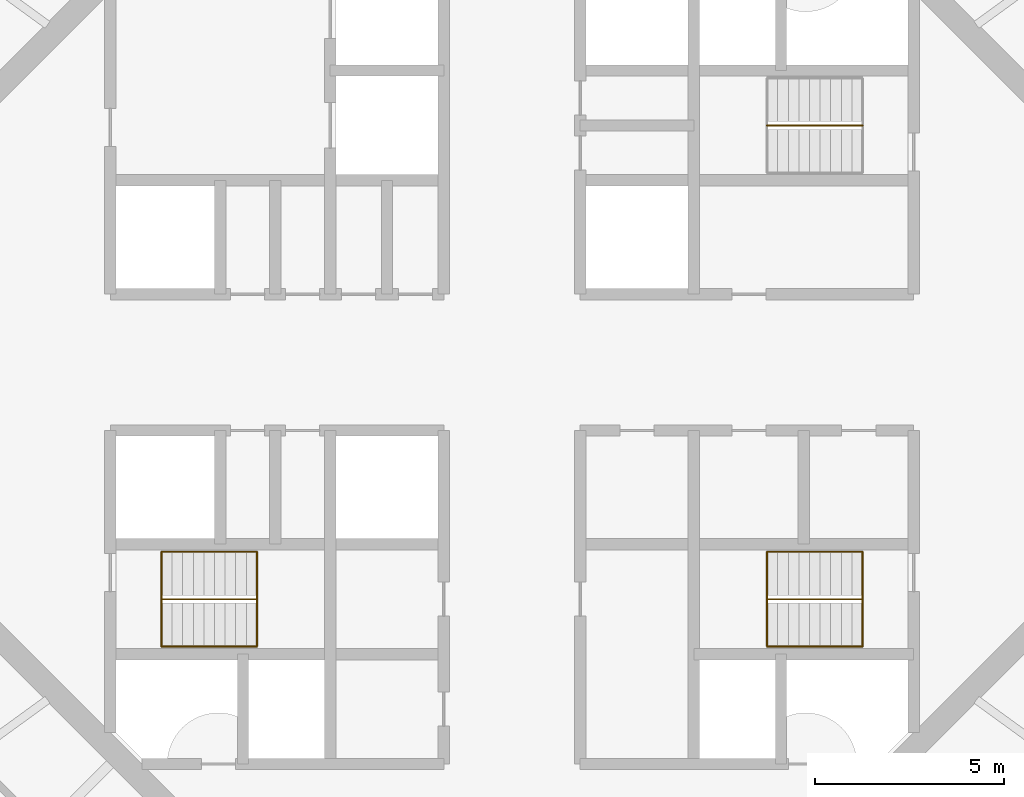
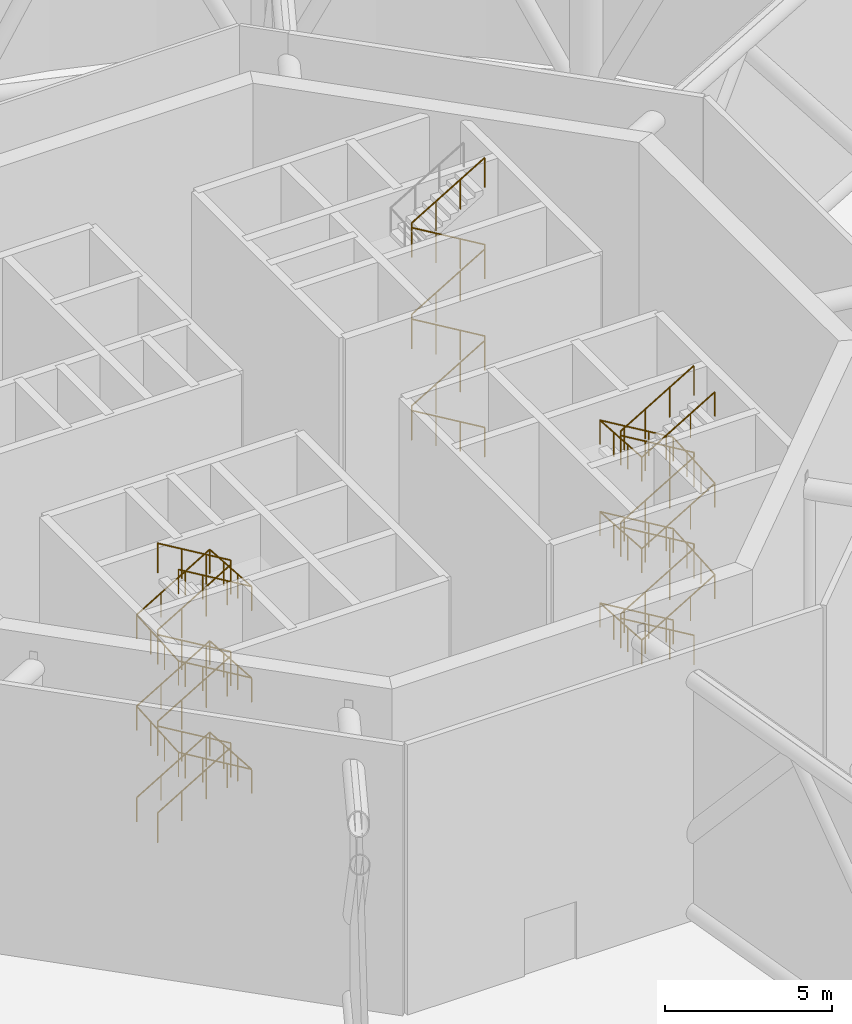
# One storey, part 22 of 23: 5 railings.
"""IFC4 building model written with IfcOpenShell, lengths in metres."""

from ifc_helpers import new_model, si_unit, direction, frame, origin, origin_2d, place, context, subcontext, project, spatial, circle, extrude, material, type_object, element, save


model = new_model("IFC4")

# Units and contexts
model_context = context("Model", 3, precision=1e-05, world=origin(), true_north=direction((0.0, 1.0)))
body_context = subcontext(model_context, "Body", "Model", "MODEL_VIEW")
ifc_project = project(units=[si_unit("LENGTHUNIT", "METRE"), si_unit("AREAUNIT", "SQUARE_METRE"), si_unit("VOLUMEUNIT", "CUBIC_METRE"), si_unit("PLANEANGLEUNIT", "RADIAN"), si_unit("MASSUNIT", "GRAM", prefix="KILO")], contexts=[model_context])

# Site, building, storey
site_placement = place(None, origin())
site = spatial("IfcSite", under=ifc_project, at=site_placement, CompositionType="ELEMENT")
building_placement = place(site_placement, origin())
building = spatial("IfcBuilding", under=site, at=building_placement, Name="Entoto Ring Tower", CompositionType="ELEMENT")
storey_placement = place(building_placement, frame((0.0, 0.0, 392.0)))
storey = spatial("IfcBuildingStorey", under=building, at=storey_placement, Name="L91", CompositionType="ELEMENT", Elevation=392.0)

# Railings
ifc_material_1 = material(Name="Steel S275", Category="steel")
railing_type_1 = type_object("IfcRailingType", Name="Stair guard 1100 mm steel", PredefinedType="GUARDRAIL", material=ifc_material_1)
railing_1_placement = place(storey_placement, frame((99.25, 86.25, 0.166748046875)))
element("IfcRailing", 1, at=railing_1_placement, inside=storey, type_object=railing_type_1, Name="Guard ST1", PredefinedType="GUARDRAIL", context=body_context, shape_type="SweptSolid", body=[
    extrude(circle(Radius=0.02392578125, at=origin_2d()), frame((0.0, 0.0, 1.076171875), z_axis=(-0.859294626741, 0.0, 0.511480932639), x_axis=(0.0, -1.0, 0.0)), (0.0, 0.0, 1.0), 2.9326171875),
    extrude(circle(Radius=0.02392578125, at=origin_2d()), frame((-2.52001953125, 0.0, 2.576171875), z_axis=(0.0, 0.0, 1.0), x_axis=(1.0, 0.0, 0.0)), (0.0, 0.0, 1.0), 0.16650390625),
    extrude(circle(Radius=0.02392578125, at=origin_2d()), frame((-2.52001953125, 0.0, 2.74267578125), z_axis=(0.859294626741, 0.0, 0.511480932639), x_axis=(0.0, 1.0, 0.0)), (0.0, 0.0, 1.0), 2.9326171875),
    extrude(circle(Radius=0.02392578125, at=origin_2d()), frame((0.0, 0.0, 4.24267578125), z_axis=(0.0, 0.0, 1.0), x_axis=(1.0, 0.0, 0.0)), (0.0, 0.0, 1.0), 0.166748046875),
    extrude(circle(Radius=0.02392578125, at=origin_2d()), frame((0.0, 0.0, 4.4091796875), z_axis=(-0.859294626741, 0.0, 0.511480932639), x_axis=(0.0, -1.0, 0.0)), (0.0, 0.0, 1.0), 2.9326171875),
    extrude(circle(Radius=0.02392578125, at=origin_2d()), frame((-2.52001953125, 0.0, 5.9091796875), z_axis=(0.0, 0.0, 1.0), x_axis=(1.0, 0.0, 0.0)), (0.0, 0.0, 1.0), 0.166748046875),
    extrude(circle(Radius=0.02392578125, at=origin_2d()), frame((-2.52001953125, 0.0, 6.076171875), z_axis=(0.859294626741, 0.0, 0.511480932639), x_axis=(0.0, 1.0, 0.0)), (0.0, 0.0, 1.0), 2.9326171875),
    extrude(circle(Radius=0.02392578125, at=origin_2d()), frame((0.0, 0.0, 7.576171875), z_axis=(0.0, 0.0, 1.0), x_axis=(1.0, 0.0, 0.0)), (0.0, 0.0, 1.0), 0.16650390625),
    extrude(circle(Radius=0.02392578125, at=origin_2d()), frame((0.0, 0.0, 7.74267578125), z_axis=(-0.859294626741, 0.0, 0.511480932639), x_axis=(0.0, -1.0, 0.0)), (0.0, 0.0, 1.0), 2.9326171875),
    extrude(circle(Radius=0.02392578125, at=origin_2d()), frame((-2.52001953125, 0.0, 9.24267578125), z_axis=(0.0, 0.0, 1.0), x_axis=(1.0, 0.0, 0.0)), (0.0, 0.0, 1.0), 0.166748046875),
    extrude(circle(Radius=0.02392578125, at=origin_2d()), frame((-2.52001953125, 0.0, 9.4091796875), z_axis=(0.859294626741, 0.0, 0.511480932639), x_axis=(0.0, 1.0, 0.0)), (0.0, 0.0, 1.0), 2.9326171875),
    extrude(circle(Radius=0.02099609375, at=origin_2d()), origin(), (0.0, 0.0, 1.0), 1.052001953125),
    extrude(circle(Radius=0.02099609375, at=origin_2d()), frame((-0.840087890625, 0.0, 0.5)), (0.0, 0.0, 1.0), 1.052001953125),
    extrude(circle(Radius=0.02099609375, at=origin_2d()), frame((-1.679931640625, 0.0, 1.0)), (0.0, 0.0, 1.0), 1.052001953125),
    extrude(circle(Radius=0.02099609375, at=origin_2d()), frame((-2.52001953125, 0.0, 1.5)), (0.0, 0.0, 1.0), 1.052001953125),
    extrude(circle(Radius=0.02099609375, at=origin_2d()), frame((-2.52001953125, 0.0, 1.66650390625)), (0.0, 0.0, 1.0), 1.052001953125),
    extrude(circle(Radius=0.02099609375, at=origin_2d()), frame((-1.679931640625, 0.0, 2.16650390625)), (0.0, 0.0, 1.0), 1.052001953125),
    extrude(circle(Radius=0.02099609375, at=origin_2d()), frame((-0.840087890625, 0.0, 2.66650390625)), (0.0, 0.0, 1.0), 1.052001953125),
    extrude(circle(Radius=0.02099609375, at=origin_2d()), frame((0.0, 0.0, 3.16650390625)), (0.0, 0.0, 1.0), 1.052001953125),
    extrude(circle(Radius=0.02099609375, at=origin_2d()), frame((0.0, 0.0, 3.333251953125)), (0.0, 0.0, 1.0), 1.052001953125),
    extrude(circle(Radius=0.02099609375, at=origin_2d()), frame((-0.840087890625, 0.0, 3.833251953125)), (0.0, 0.0, 1.0), 1.052001953125),
    extrude(circle(Radius=0.02099609375, at=origin_2d()), frame((-1.679931640625, 0.0, 4.333251953125)), (0.0, 0.0, 1.0), 1.052001953125),
    extrude(circle(Radius=0.02099609375, at=origin_2d()), frame((-2.52001953125, 0.0, 4.833251953125)), (0.0, 0.0, 1.0), 1.052001953125),
    extrude(circle(Radius=0.02099609375, at=origin_2d()), frame((-2.52001953125, 0.0, 5.0)), (0.0, 0.0, 1.0), 1.052001953125),
    extrude(circle(Radius=0.02099609375, at=origin_2d()), frame((-1.679931640625, 0.0, 5.5)), (0.0, 0.0, 1.0), 1.052001953125),
    extrude(circle(Radius=0.02099609375, at=origin_2d()), frame((-0.840087890625, 0.0, 6.0)), (0.0, 0.0, 1.0), 1.052001953125),
    extrude(circle(Radius=0.02099609375, at=origin_2d()), frame((0.0, 0.0, 6.5)), (0.0, 0.0, 1.0), 1.052001953125),
    extrude(circle(Radius=0.02099609375, at=origin_2d()), frame((0.0, 0.0, 6.66650390625)), (0.0, 0.0, 1.0), 1.052001953125),
    extrude(circle(Radius=0.02099609375, at=origin_2d()), frame((-0.840087890625, 0.0, 7.16650390625)), (0.0, 0.0, 1.0), 1.052001953125),
    extrude(circle(Radius=0.02099609375, at=origin_2d()), frame((-1.679931640625, 0.0, 7.66650390625)), (0.0, 0.0, 1.0), 1.052001953125),
    extrude(circle(Radius=0.02099609375, at=origin_2d()), frame((-2.52001953125, 0.0, 8.16650390625)), (0.0, 0.0, 1.0), 1.052001953125),
    extrude(circle(Radius=0.02099609375, at=origin_2d()), frame((-2.52001953125, 0.0, 8.333251953125)), (0.0, 0.0, 1.0), 1.052001953125),
    extrude(circle(Radius=0.02099609375, at=origin_2d()), frame((-1.679931640625, 0.0, 8.833251953125)), (0.0, 0.0, 1.0), 1.052001953125),
    extrude(circle(Radius=0.02099609375, at=origin_2d()), frame((-0.840087890625, 0.0, 9.333251953125)), (0.0, 0.0, 1.0), 1.052001953125),
    extrude(circle(Radius=0.02099609375, at=origin_2d()), frame((0.0, 0.0, 9.833251953125)), (0.0, 0.0, 1.0), 1.052001953125),
])
railing_2_placement = place(storey_placement, frame((80.75, 73.75, 0.166748046875)))
element("IfcRailing", 2, at=railing_2_placement, inside=storey, type_object=railing_type_1, Name="Guard ST2", PredefinedType="GUARDRAIL", context=body_context, shape_type="SweptSolid", body=[
    extrude(circle(Radius=0.02392578125, at=origin_2d()), frame((0.0, 0.0, 1.076171875), z_axis=(0.859294626741, 0.0, 0.511480932639), x_axis=(0.0, 1.0, 0.0)), (0.0, 0.0, 1.0), 2.9326171875),
    extrude(circle(Radius=0.02392578125, at=origin_2d()), frame((2.52001953125, 0.0, 2.576171875), z_axis=(0.0, 0.0, 1.0), x_axis=(1.0, 0.0, 0.0)), (0.0, 0.0, 1.0), 0.16650390625),
    extrude(circle(Radius=0.02392578125, at=origin_2d()), frame((2.52001953125, 0.0, 2.74267578125), z_axis=(-0.859294626741, 0.0, 0.511480932639), x_axis=(0.0, -1.0, 0.0)), (0.0, 0.0, 1.0), 2.9326171875),
    extrude(circle(Radius=0.02392578125, at=origin_2d()), frame((0.0, 0.0, 4.24267578125), z_axis=(0.0, 0.0, 1.0), x_axis=(1.0, 0.0, 0.0)), (0.0, 0.0, 1.0), 0.166748046875),
    extrude(circle(Radius=0.02392578125, at=origin_2d()), frame((0.0, 0.0, 4.4091796875), z_axis=(0.859294626741, 0.0, 0.511480932639), x_axis=(0.0, 1.0, 0.0)), (0.0, 0.0, 1.0), 2.9326171875),
    extrude(circle(Radius=0.02392578125, at=origin_2d()), frame((2.52001953125, 0.0, 5.9091796875), z_axis=(0.0, 0.0, 1.0), x_axis=(1.0, 0.0, 0.0)), (0.0, 0.0, 1.0), 0.166748046875),
    extrude(circle(Radius=0.02392578125, at=origin_2d()), frame((2.52001953125, 0.0, 6.076171875), z_axis=(-0.859294626741, 0.0, 0.511480932639), x_axis=(0.0, -1.0, 0.0)), (0.0, 0.0, 1.0), 2.9326171875),
    extrude(circle(Radius=0.02392578125, at=origin_2d()), frame((0.0, 0.0, 7.576171875), z_axis=(0.0, 0.0, 1.0), x_axis=(1.0, 0.0, 0.0)), (0.0, 0.0, 1.0), 0.16650390625),
    extrude(circle(Radius=0.02392578125, at=origin_2d()), frame((0.0, 0.0, 7.74267578125), z_axis=(0.859294626741, 0.0, 0.511480932639), x_axis=(0.0, 1.0, 0.0)), (0.0, 0.0, 1.0), 2.9326171875),
    extrude(circle(Radius=0.02392578125, at=origin_2d()), frame((2.52001953125, 0.0, 9.24267578125), z_axis=(0.0, 0.0, 1.0), x_axis=(1.0, 0.0, 0.0)), (0.0, 0.0, 1.0), 0.166748046875),
    extrude(circle(Radius=0.02392578125, at=origin_2d()), frame((2.52001953125, 0.0, 9.4091796875), z_axis=(-0.859294626741, 0.0, 0.511480932639), x_axis=(0.0, -1.0, 0.0)), (0.0, 0.0, 1.0), 2.9326171875),
    extrude(circle(Radius=0.02099609375, at=origin_2d()), origin(), (0.0, 0.0, 1.0), 1.052001953125),
    extrude(circle(Radius=0.02099609375, at=origin_2d()), frame((0.840087890625, 0.0, 0.5)), (0.0, 0.0, 1.0), 1.052001953125),
    extrude(circle(Radius=0.02099609375, at=origin_2d()), frame((1.679931640625, 0.0, 1.0)), (0.0, 0.0, 1.0), 1.052001953125),
    extrude(circle(Radius=0.02099609375, at=origin_2d()), frame((2.52001953125, 0.0, 1.5)), (0.0, 0.0, 1.0), 1.052001953125),
    extrude(circle(Radius=0.02099609375, at=origin_2d()), frame((2.52001953125, 0.0, 1.66650390625)), (0.0, 0.0, 1.0), 1.052001953125),
    extrude(circle(Radius=0.02099609375, at=origin_2d()), frame((1.679931640625, 0.0, 2.16650390625)), (0.0, 0.0, 1.0), 1.052001953125),
    extrude(circle(Radius=0.02099609375, at=origin_2d()), frame((0.840087890625, 0.0, 2.66650390625)), (0.0, 0.0, 1.0), 1.052001953125),
    extrude(circle(Radius=0.02099609375, at=origin_2d()), frame((0.0, 0.0, 3.16650390625)), (0.0, 0.0, 1.0), 1.052001953125),
    extrude(circle(Radius=0.02099609375, at=origin_2d()), frame((0.0, 0.0, 3.333251953125)), (0.0, 0.0, 1.0), 1.052001953125),
    extrude(circle(Radius=0.02099609375, at=origin_2d()), frame((0.840087890625, 0.0, 3.833251953125)), (0.0, 0.0, 1.0), 1.052001953125),
    extrude(circle(Radius=0.02099609375, at=origin_2d()), frame((1.679931640625, 0.0, 4.333251953125)), (0.0, 0.0, 1.0), 1.052001953125),
    extrude(circle(Radius=0.02099609375, at=origin_2d()), frame((2.52001953125, 0.0, 4.833251953125)), (0.0, 0.0, 1.0), 1.052001953125),
    extrude(circle(Radius=0.02099609375, at=origin_2d()), frame((2.52001953125, 0.0, 5.0)), (0.0, 0.0, 1.0), 1.052001953125),
    extrude(circle(Radius=0.02099609375, at=origin_2d()), frame((1.679931640625, 0.0, 5.5)), (0.0, 0.0, 1.0), 1.052001953125),
    extrude(circle(Radius=0.02099609375, at=origin_2d()), frame((0.840087890625, 0.0, 6.0)), (0.0, 0.0, 1.0), 1.052001953125),
    extrude(circle(Radius=0.02099609375, at=origin_2d()), frame((0.0, 0.0, 6.5)), (0.0, 0.0, 1.0), 1.052001953125),
    extrude(circle(Radius=0.02099609375, at=origin_2d()), frame((0.0, 0.0, 6.66650390625)), (0.0, 0.0, 1.0), 1.052001953125),
    extrude(circle(Radius=0.02099609375, at=origin_2d()), frame((0.840087890625, 0.0, 7.16650390625)), (0.0, 0.0, 1.0), 1.052001953125),
    extrude(circle(Radius=0.02099609375, at=origin_2d()), frame((1.679931640625, 0.0, 7.66650390625)), (0.0, 0.0, 1.0), 1.052001953125),
    extrude(circle(Radius=0.02099609375, at=origin_2d()), frame((2.52001953125, 0.0, 8.16650390625)), (0.0, 0.0, 1.0), 1.052001953125),
    extrude(circle(Radius=0.02099609375, at=origin_2d()), frame((2.52001953125, 0.0, 8.333251953125)), (0.0, 0.0, 1.0), 1.052001953125),
    extrude(circle(Radius=0.02099609375, at=origin_2d()), frame((1.679931640625, 0.0, 8.833251953125)), (0.0, 0.0, 1.0), 1.052001953125),
    extrude(circle(Radius=0.02099609375, at=origin_2d()), frame((0.840087890625, 0.0, 9.333251953125)), (0.0, 0.0, 1.0), 1.052001953125),
    extrude(circle(Radius=0.02099609375, at=origin_2d()), frame((0.0, 0.0, 9.833251953125)), (0.0, 0.0, 1.0), 1.052001953125),
])
railing_3_placement = place(storey_placement, frame((99.25, 73.75, 0.166748046875)))
element("IfcRailing", 3, at=railing_3_placement, inside=storey, type_object=railing_type_1, Name="Guard ST3", PredefinedType="GUARDRAIL", context=body_context, shape_type="SweptSolid", body=[
    extrude(circle(Radius=0.02392578125, at=origin_2d()), frame((0.0, 0.0, 1.076171875), z_axis=(-0.859294626741, 0.0, 0.511480932639), x_axis=(0.0, -1.0, 0.0)), (0.0, 0.0, 1.0), 2.9326171875),
    extrude(circle(Radius=0.02392578125, at=origin_2d()), frame((-2.52001953125, 0.0, 2.576171875), z_axis=(0.0, 0.0, 1.0), x_axis=(1.0, 0.0, 0.0)), (0.0, 0.0, 1.0), 0.16650390625),
    extrude(circle(Radius=0.02392578125, at=origin_2d()), frame((-2.52001953125, 0.0, 2.74267578125), z_axis=(0.859294626741, 0.0, 0.511480932639), x_axis=(0.0, 1.0, 0.0)), (0.0, 0.0, 1.0), 2.9326171875),
    extrude(circle(Radius=0.02392578125, at=origin_2d()), frame((0.0, 0.0, 4.24267578125), z_axis=(0.0, 0.0, 1.0), x_axis=(1.0, 0.0, 0.0)), (0.0, 0.0, 1.0), 0.166748046875),
    extrude(circle(Radius=0.02392578125, at=origin_2d()), frame((0.0, 0.0, 4.4091796875), z_axis=(-0.859294626741, 0.0, 0.511480932639), x_axis=(0.0, -1.0, 0.0)), (0.0, 0.0, 1.0), 2.9326171875),
    extrude(circle(Radius=0.02392578125, at=origin_2d()), frame((-2.52001953125, 0.0, 5.9091796875), z_axis=(0.0, 0.0, 1.0), x_axis=(1.0, 0.0, 0.0)), (0.0, 0.0, 1.0), 0.166748046875),
    extrude(circle(Radius=0.02392578125, at=origin_2d()), frame((-2.52001953125, 0.0, 6.076171875), z_axis=(0.859294626741, 0.0, 0.511480932639), x_axis=(0.0, 1.0, 0.0)), (0.0, 0.0, 1.0), 2.9326171875),
    extrude(circle(Radius=0.02392578125, at=origin_2d()), frame((0.0, 0.0, 7.576171875), z_axis=(0.0, 0.0, 1.0), x_axis=(1.0, 0.0, 0.0)), (0.0, 0.0, 1.0), 0.16650390625),
    extrude(circle(Radius=0.02392578125, at=origin_2d()), frame((0.0, 0.0, 7.74267578125), z_axis=(-0.859294626741, 0.0, 0.511480932639), x_axis=(0.0, -1.0, 0.0)), (0.0, 0.0, 1.0), 2.9326171875),
    extrude(circle(Radius=0.02392578125, at=origin_2d()), frame((-2.52001953125, 0.0, 9.24267578125), z_axis=(0.0, 0.0, 1.0), x_axis=(1.0, 0.0, 0.0)), (0.0, 0.0, 1.0), 0.166748046875),
    extrude(circle(Radius=0.02392578125, at=origin_2d()), frame((-2.52001953125, 0.0, 9.4091796875), z_axis=(0.859294626741, 0.0, 0.511480932639), x_axis=(0.0, 1.0, 0.0)), (0.0, 0.0, 1.0), 2.9326171875),
    extrude(circle(Radius=0.02099609375, at=origin_2d()), origin(), (0.0, 0.0, 1.0), 1.052001953125),
    extrude(circle(Radius=0.02099609375, at=origin_2d()), frame((-0.840087890625, 0.0, 0.5)), (0.0, 0.0, 1.0), 1.052001953125),
    extrude(circle(Radius=0.02099609375, at=origin_2d()), frame((-1.679931640625, 0.0, 1.0)), (0.0, 0.0, 1.0), 1.052001953125),
    extrude(circle(Radius=0.02099609375, at=origin_2d()), frame((-2.52001953125, 0.0, 1.5)), (0.0, 0.0, 1.0), 1.052001953125),
    extrude(circle(Radius=0.02099609375, at=origin_2d()), frame((-2.52001953125, 0.0, 1.66650390625)), (0.0, 0.0, 1.0), 1.052001953125),
    extrude(circle(Radius=0.02099609375, at=origin_2d()), frame((-1.679931640625, 0.0, 2.16650390625)), (0.0, 0.0, 1.0), 1.052001953125),
    extrude(circle(Radius=0.02099609375, at=origin_2d()), frame((-0.840087890625, 0.0, 2.66650390625)), (0.0, 0.0, 1.0), 1.052001953125),
    extrude(circle(Radius=0.02099609375, at=origin_2d()), frame((0.0, 0.0, 3.16650390625)), (0.0, 0.0, 1.0), 1.052001953125),
    extrude(circle(Radius=0.02099609375, at=origin_2d()), frame((0.0, 0.0, 3.333251953125)), (0.0, 0.0, 1.0), 1.052001953125),
    extrude(circle(Radius=0.02099609375, at=origin_2d()), frame((-0.840087890625, 0.0, 3.833251953125)), (0.0, 0.0, 1.0), 1.052001953125),
    extrude(circle(Radius=0.02099609375, at=origin_2d()), frame((-1.679931640625, 0.0, 4.333251953125)), (0.0, 0.0, 1.0), 1.052001953125),
    extrude(circle(Radius=0.02099609375, at=origin_2d()), frame((-2.52001953125, 0.0, 4.833251953125)), (0.0, 0.0, 1.0), 1.052001953125),
    extrude(circle(Radius=0.02099609375, at=origin_2d()), frame((-2.52001953125, 0.0, 5.0)), (0.0, 0.0, 1.0), 1.052001953125),
    extrude(circle(Radius=0.02099609375, at=origin_2d()), frame((-1.679931640625, 0.0, 5.5)), (0.0, 0.0, 1.0), 1.052001953125),
    extrude(circle(Radius=0.02099609375, at=origin_2d()), frame((-0.840087890625, 0.0, 6.0)), (0.0, 0.0, 1.0), 1.052001953125),
    extrude(circle(Radius=0.02099609375, at=origin_2d()), frame((0.0, 0.0, 6.5)), (0.0, 0.0, 1.0), 1.052001953125),
    extrude(circle(Radius=0.02099609375, at=origin_2d()), frame((0.0, 0.0, 6.66650390625)), (0.0, 0.0, 1.0), 1.052001953125),
    extrude(circle(Radius=0.02099609375, at=origin_2d()), frame((-0.840087890625, 0.0, 7.16650390625)), (0.0, 0.0, 1.0), 1.052001953125),
    extrude(circle(Radius=0.02099609375, at=origin_2d()), frame((-1.679931640625, 0.0, 7.66650390625)), (0.0, 0.0, 1.0), 1.052001953125),
    extrude(circle(Radius=0.02099609375, at=origin_2d()), frame((-2.52001953125, 0.0, 8.16650390625)), (0.0, 0.0, 1.0), 1.052001953125),
    extrude(circle(Radius=0.02099609375, at=origin_2d()), frame((-2.52001953125, 0.0, 8.333251953125)), (0.0, 0.0, 1.0), 1.052001953125),
    extrude(circle(Radius=0.02099609375, at=origin_2d()), frame((-1.679931640625, 0.0, 8.833251953125)), (0.0, 0.0, 1.0), 1.052001953125),
    extrude(circle(Radius=0.02099609375, at=origin_2d()), frame((-0.840087890625, 0.0, 9.333251953125)), (0.0, 0.0, 1.0), 1.052001953125),
    extrude(circle(Radius=0.02099609375, at=origin_2d()), frame((0.0, 0.0, 9.833251953125)), (0.0, 0.0, 1.0), 1.052001953125),
])
ifc_material_2 = material(Name="Steel S275", Category="steel")
railing_type_2 = type_object("IfcRailingType", Name="Stair handrail 900 mm steel", PredefinedType="HANDRAIL", material=ifc_material_2)
railing_4_placement = place(storey_placement, frame((80.75, 75.0, 0.166748046875)))
element("IfcRailing", 4, at=railing_4_placement, inside=storey, type_object=railing_type_2, Name="Handrail ST2", PredefinedType="HANDRAIL", context=body_context, shape_type="SweptSolid", body=[
    extrude(circle(Radius=0.02392578125, at=origin_2d()), frame((0.0, 0.0, 0.8759765625), z_axis=(0.859294626741, 0.0, 0.511480932639), x_axis=(0.0, 1.0, 0.0)), (0.0, 0.0, 1.0), 2.9326171875),
    extrude(circle(Radius=0.02392578125, at=origin_2d()), frame((2.52001953125, 0.0, 2.3759765625), z_axis=(0.0, -0.997789467282, 0.066454337567), x_axis=(1.0, 0.0, 0.0)), (0.0, 0.0, 1.0), 2.505615234375),
    extrude(circle(Radius=0.02392578125, at=origin_2d()), frame((2.52001953125, -2.5, 2.54248046875), z_axis=(-0.859294626741, 0.0, 0.511480932639), x_axis=(0.0, -1.0, 0.0)), (0.0, 0.0, 1.0), 2.9326171875),
    extrude(circle(Radius=0.02392578125, at=origin_2d()), frame((0.0, -2.5, 4.04248046875), z_axis=(0.0, 0.997783001586, 0.066551346688), x_axis=(-1.0, 0.0, 0.0)), (0.0, 0.0, 1.0), 2.505615234375),
    extrude(circle(Radius=0.02392578125, at=origin_2d()), frame((0.0, 0.0, 4.208984375), z_axis=(0.859294626741, 0.0, 0.511480932639), x_axis=(0.0, 1.0, 0.0)), (0.0, 0.0, 1.0), 2.9326171875),
    extrude(circle(Radius=0.02392578125, at=origin_2d()), frame((2.52001953125, 0.0, 5.708984375), z_axis=(0.0, -0.997783001586, 0.066551346688), x_axis=(1.0, 0.0, 0.0)), (0.0, 0.0, 1.0), 2.505615234375),
    extrude(circle(Radius=0.02392578125, at=origin_2d()), frame((2.52001953125, -2.5, 5.8759765625), z_axis=(-0.859294626741, 0.0, 0.511480932639), x_axis=(0.0, -1.0, 0.0)), (0.0, 0.0, 1.0), 2.9326171875),
    extrude(circle(Radius=0.02392578125, at=origin_2d()), frame((0.0, -2.5, 7.3759765625), z_axis=(0.0, 0.997789467282, 0.066454337567), x_axis=(-1.0, 0.0, 0.0)), (0.0, 0.0, 1.0), 2.505615234375),
    extrude(circle(Radius=0.02392578125, at=origin_2d()), frame((0.0, 0.0, 7.54248046875), z_axis=(0.859294626741, 0.0, 0.511480932639), x_axis=(0.0, 1.0, 0.0)), (0.0, 0.0, 1.0), 2.9326171875),
    extrude(circle(Radius=0.02392578125, at=origin_2d()), frame((2.52001953125, 0.0, 9.04248046875), z_axis=(0.0, -0.997783001586, 0.066551346688), x_axis=(1.0, 0.0, 0.0)), (0.0, 0.0, 1.0), 2.505615234375),
    extrude(circle(Radius=0.02392578125, at=origin_2d()), frame((2.52001953125, -2.5, 9.208984375), z_axis=(-0.859294626741, 0.0, 0.511480932639), x_axis=(0.0, -1.0, 0.0)), (0.0, 0.0, 1.0), 2.9326171875),
    extrude(circle(Radius=0.02099609375, at=origin_2d()), origin(), (0.0, 0.0, 1.0), 0.851806640625),
    extrude(circle(Radius=0.02099609375, at=origin_2d()), frame((0.840087890625, 0.0, 0.5)), (0.0, 0.0, 1.0), 0.851806640625),
    extrude(circle(Radius=0.02099609375, at=origin_2d()), frame((1.679931640625, 0.0, 1.0)), (0.0, 0.0, 1.0), 0.851806640625),
    extrude(circle(Radius=0.02099609375, at=origin_2d()), frame((2.52001953125, 0.0, 1.5)), (0.0, 0.0, 1.0), 0.851806640625),
    extrude(circle(Radius=0.02099609375, at=origin_2d()), frame((2.52001953125, -0.833251953125, 1.555419921875)), (0.0, 0.0, 1.0), 0.851806640625),
    extrude(circle(Radius=0.02099609375, at=origin_2d()), frame((2.52001953125, -1.666748046875, 1.611083984375)), (0.0, 0.0, 1.0), 0.851806640625),
    extrude(circle(Radius=0.02099609375, at=origin_2d()), frame((2.52001953125, -2.5, 1.66650390625)), (0.0, 0.0, 1.0), 0.851806640625),
    extrude(circle(Radius=0.02099609375, at=origin_2d()), frame((1.679931640625, -2.5, 2.16650390625)), (0.0, 0.0, 1.0), 0.851806640625),
    extrude(circle(Radius=0.02099609375, at=origin_2d()), frame((0.840087890625, -2.5, 2.66650390625)), (0.0, 0.0, 1.0), 0.851806640625),
    extrude(circle(Radius=0.02099609375, at=origin_2d()), frame((0.0, -2.5, 3.16650390625)), (0.0, 0.0, 1.0), 0.851806640625),
    extrude(circle(Radius=0.02099609375, at=origin_2d()), frame((0.0, -1.666748046875, 3.22216796875)), (0.0, 0.0, 1.0), 0.851806640625),
    extrude(circle(Radius=0.02099609375, at=origin_2d()), frame((0.0, -0.833251953125, 3.277587890625)), (0.0, 0.0, 1.0), 0.851806640625),
    extrude(circle(Radius=0.02099609375, at=origin_2d()), frame((0.0, 0.0, 3.333251953125)), (0.0, 0.0, 1.0), 0.851806640625),
    extrude(circle(Radius=0.02099609375, at=origin_2d()), frame((0.840087890625, 0.0, 3.833251953125)), (0.0, 0.0, 1.0), 0.851806640625),
    extrude(circle(Radius=0.02099609375, at=origin_2d()), frame((1.679931640625, 0.0, 4.333251953125)), (0.0, 0.0, 1.0), 0.851806640625),
    extrude(circle(Radius=0.02099609375, at=origin_2d()), frame((2.52001953125, 0.0, 4.833251953125)), (0.0, 0.0, 1.0), 0.851806640625),
    extrude(circle(Radius=0.02099609375, at=origin_2d()), frame((2.52001953125, -0.833251953125, 4.888916015625)), (0.0, 0.0, 1.0), 0.851806640625),
    extrude(circle(Radius=0.02099609375, at=origin_2d()), frame((2.52001953125, -1.666748046875, 4.9443359375)), (0.0, 0.0, 1.0), 0.851806640625),
    extrude(circle(Radius=0.02099609375, at=origin_2d()), frame((2.52001953125, -2.5, 5.0)), (0.0, 0.0, 1.0), 0.851806640625),
    extrude(circle(Radius=0.02099609375, at=origin_2d()), frame((1.679931640625, -2.5, 5.5)), (0.0, 0.0, 1.0), 0.851806640625),
    extrude(circle(Radius=0.02099609375, at=origin_2d()), frame((0.840087890625, -2.5, 6.0)), (0.0, 0.0, 1.0), 0.851806640625),
    extrude(circle(Radius=0.02099609375, at=origin_2d()), frame((0.0, -2.5, 6.5)), (0.0, 0.0, 1.0), 0.851806640625),
    extrude(circle(Radius=0.02099609375, at=origin_2d()), frame((0.0, -1.666748046875, 6.555419921875)), (0.0, 0.0, 1.0), 0.851806640625),
    extrude(circle(Radius=0.02099609375, at=origin_2d()), frame((0.0, -0.833251953125, 6.611083984375)), (0.0, 0.0, 1.0), 0.851806640625),
    extrude(circle(Radius=0.02099609375, at=origin_2d()), frame((0.0, 0.0, 6.66650390625)), (0.0, 0.0, 1.0), 0.851806640625),
    extrude(circle(Radius=0.02099609375, at=origin_2d()), frame((0.840087890625, 0.0, 7.16650390625)), (0.0, 0.0, 1.0), 0.851806640625),
    extrude(circle(Radius=0.02099609375, at=origin_2d()), frame((1.679931640625, 0.0, 7.66650390625)), (0.0, 0.0, 1.0), 0.851806640625),
    extrude(circle(Radius=0.02099609375, at=origin_2d()), frame((2.52001953125, 0.0, 8.16650390625)), (0.0, 0.0, 1.0), 0.851806640625),
    extrude(circle(Radius=0.02099609375, at=origin_2d()), frame((2.52001953125, -0.833251953125, 8.22216796875)), (0.0, 0.0, 1.0), 0.851806640625),
    extrude(circle(Radius=0.02099609375, at=origin_2d()), frame((2.52001953125, -1.666748046875, 8.277587890625)), (0.0, 0.0, 1.0), 0.851806640625),
    extrude(circle(Radius=0.02099609375, at=origin_2d()), frame((2.52001953125, -2.5, 8.333251953125)), (0.0, 0.0, 1.0), 0.851806640625),
    extrude(circle(Radius=0.02099609375, at=origin_2d()), frame((1.679931640625, -2.5, 8.833251953125)), (0.0, 0.0, 1.0), 0.851806640625),
    extrude(circle(Radius=0.02099609375, at=origin_2d()), frame((0.840087890625, -2.5, 9.333251953125)), (0.0, 0.0, 1.0), 0.851806640625),
    extrude(circle(Radius=0.02099609375, at=origin_2d()), frame((0.0, -2.5, 9.833251953125)), (0.0, 0.0, 1.0), 0.851806640625),
])
railing_5_placement = place(storey_placement, frame((99.25, 75.0, 0.166748046875)))
element("IfcRailing", 5, at=railing_5_placement, inside=storey, type_object=railing_type_2, Name="Handrail ST3", PredefinedType="HANDRAIL", context=body_context, shape_type="SweptSolid", body=[
    extrude(circle(Radius=0.02392578125, at=origin_2d()), frame((0.0, 0.0, 0.8759765625), z_axis=(-0.859294626741, 0.0, 0.511480932639), x_axis=(0.0, -1.0, 0.0)), (0.0, 0.0, 1.0), 2.9326171875),
    extrude(circle(Radius=0.02392578125, at=origin_2d()), frame((-2.52001953125, 0.0, 2.3759765625), z_axis=(0.0, -0.997789467282, 0.066454337567), x_axis=(1.0, 0.0, 0.0)), (0.0, 0.0, 1.0), 2.505615234375),
    extrude(circle(Radius=0.02392578125, at=origin_2d()), frame((-2.52001953125, -2.5, 2.54248046875), z_axis=(0.859294626741, 0.0, 0.511480932639), x_axis=(0.0, 1.0, 0.0)), (0.0, 0.0, 1.0), 2.9326171875),
    extrude(circle(Radius=0.02392578125, at=origin_2d()), frame((0.0, -2.5, 4.04248046875), z_axis=(0.0, 0.997783001586, 0.066551346688), x_axis=(-1.0, 0.0, 0.0)), (0.0, 0.0, 1.0), 2.505615234375),
    extrude(circle(Radius=0.02392578125, at=origin_2d()), frame((0.0, 0.0, 4.208984375), z_axis=(-0.859294626741, 0.0, 0.511480932639), x_axis=(0.0, -1.0, 0.0)), (0.0, 0.0, 1.0), 2.9326171875),
    extrude(circle(Radius=0.02392578125, at=origin_2d()), frame((-2.52001953125, 0.0, 5.708984375), z_axis=(0.0, -0.997783001586, 0.066551346688), x_axis=(1.0, 0.0, 0.0)), (0.0, 0.0, 1.0), 2.505615234375),
    extrude(circle(Radius=0.02392578125, at=origin_2d()), frame((-2.52001953125, -2.5, 5.8759765625), z_axis=(0.859294626741, 0.0, 0.511480932639), x_axis=(0.0, 1.0, 0.0)), (0.0, 0.0, 1.0), 2.9326171875),
    extrude(circle(Radius=0.02392578125, at=origin_2d()), frame((0.0, -2.5, 7.3759765625), z_axis=(0.0, 0.997789467282, 0.066454337567), x_axis=(-1.0, 0.0, 0.0)), (0.0, 0.0, 1.0), 2.505615234375),
    extrude(circle(Radius=0.02392578125, at=origin_2d()), frame((0.0, 0.0, 7.54248046875), z_axis=(-0.859294626741, 0.0, 0.511480932639), x_axis=(0.0, -1.0, 0.0)), (0.0, 0.0, 1.0), 2.9326171875),
    extrude(circle(Radius=0.02392578125, at=origin_2d()), frame((-2.52001953125, 0.0, 9.04248046875), z_axis=(0.0, -0.997783001586, 0.066551346688), x_axis=(1.0, 0.0, 0.0)), (0.0, 0.0, 1.0), 2.505615234375),
    extrude(circle(Radius=0.02392578125, at=origin_2d()), frame((-2.52001953125, -2.5, 9.208984375), z_axis=(0.859294626741, 0.0, 0.511480932639), x_axis=(0.0, 1.0, 0.0)), (0.0, 0.0, 1.0), 2.9326171875),
    extrude(circle(Radius=0.02099609375, at=origin_2d()), origin(), (0.0, 0.0, 1.0), 0.851806640625),
    extrude(circle(Radius=0.02099609375, at=origin_2d()), frame((-0.840087890625, 0.0, 0.5)), (0.0, 0.0, 1.0), 0.851806640625),
    extrude(circle(Radius=0.02099609375, at=origin_2d()), frame((-1.679931640625, 0.0, 1.0)), (0.0, 0.0, 1.0), 0.851806640625),
    extrude(circle(Radius=0.02099609375, at=origin_2d()), frame((-2.52001953125, 0.0, 1.5)), (0.0, 0.0, 1.0), 0.851806640625),
    extrude(circle(Radius=0.02099609375, at=origin_2d()), frame((-2.52001953125, -0.833251953125, 1.555419921875)), (0.0, 0.0, 1.0), 0.851806640625),
    extrude(circle(Radius=0.02099609375, at=origin_2d()), frame((-2.52001953125, -1.666748046875, 1.611083984375)), (0.0, 0.0, 1.0), 0.851806640625),
    extrude(circle(Radius=0.02099609375, at=origin_2d()), frame((-2.52001953125, -2.5, 1.66650390625)), (0.0, 0.0, 1.0), 0.851806640625),
    extrude(circle(Radius=0.02099609375, at=origin_2d()), frame((-1.679931640625, -2.5, 2.16650390625)), (0.0, 0.0, 1.0), 0.851806640625),
    extrude(circle(Radius=0.02099609375, at=origin_2d()), frame((-0.840087890625, -2.5, 2.66650390625)), (0.0, 0.0, 1.0), 0.851806640625),
    extrude(circle(Radius=0.02099609375, at=origin_2d()), frame((0.0, -2.5, 3.16650390625)), (0.0, 0.0, 1.0), 0.851806640625),
    extrude(circle(Radius=0.02099609375, at=origin_2d()), frame((0.0, -1.666748046875, 3.22216796875)), (0.0, 0.0, 1.0), 0.851806640625),
    extrude(circle(Radius=0.02099609375, at=origin_2d()), frame((0.0, -0.833251953125, 3.277587890625)), (0.0, 0.0, 1.0), 0.851806640625),
    extrude(circle(Radius=0.02099609375, at=origin_2d()), frame((0.0, 0.0, 3.333251953125)), (0.0, 0.0, 1.0), 0.851806640625),
    extrude(circle(Radius=0.02099609375, at=origin_2d()), frame((-0.840087890625, 0.0, 3.833251953125)), (0.0, 0.0, 1.0), 0.851806640625),
    extrude(circle(Radius=0.02099609375, at=origin_2d()), frame((-1.679931640625, 0.0, 4.333251953125)), (0.0, 0.0, 1.0), 0.851806640625),
    extrude(circle(Radius=0.02099609375, at=origin_2d()), frame((-2.52001953125, 0.0, 4.833251953125)), (0.0, 0.0, 1.0), 0.851806640625),
    extrude(circle(Radius=0.02099609375, at=origin_2d()), frame((-2.52001953125, -0.833251953125, 4.888916015625)), (0.0, 0.0, 1.0), 0.851806640625),
    extrude(circle(Radius=0.02099609375, at=origin_2d()), frame((-2.52001953125, -1.666748046875, 4.9443359375)), (0.0, 0.0, 1.0), 0.851806640625),
    extrude(circle(Radius=0.02099609375, at=origin_2d()), frame((-2.52001953125, -2.5, 5.0)), (0.0, 0.0, 1.0), 0.851806640625),
    extrude(circle(Radius=0.02099609375, at=origin_2d()), frame((-1.679931640625, -2.5, 5.5)), (0.0, 0.0, 1.0), 0.851806640625),
    extrude(circle(Radius=0.02099609375, at=origin_2d()), frame((-0.840087890625, -2.5, 6.0)), (0.0, 0.0, 1.0), 0.851806640625),
    extrude(circle(Radius=0.02099609375, at=origin_2d()), frame((0.0, -2.5, 6.5)), (0.0, 0.0, 1.0), 0.851806640625),
    extrude(circle(Radius=0.02099609375, at=origin_2d()), frame((0.0, -1.666748046875, 6.555419921875)), (0.0, 0.0, 1.0), 0.851806640625),
    extrude(circle(Radius=0.02099609375, at=origin_2d()), frame((0.0, -0.833251953125, 6.611083984375)), (0.0, 0.0, 1.0), 0.851806640625),
    extrude(circle(Radius=0.02099609375, at=origin_2d()), frame((0.0, 0.0, 6.66650390625)), (0.0, 0.0, 1.0), 0.851806640625),
    extrude(circle(Radius=0.02099609375, at=origin_2d()), frame((-0.840087890625, 0.0, 7.16650390625)), (0.0, 0.0, 1.0), 0.851806640625),
    extrude(circle(Radius=0.02099609375, at=origin_2d()), frame((-1.679931640625, 0.0, 7.66650390625)), (0.0, 0.0, 1.0), 0.851806640625),
    extrude(circle(Radius=0.02099609375, at=origin_2d()), frame((-2.52001953125, 0.0, 8.16650390625)), (0.0, 0.0, 1.0), 0.851806640625),
    extrude(circle(Radius=0.02099609375, at=origin_2d()), frame((-2.52001953125, -0.833251953125, 8.22216796875)), (0.0, 0.0, 1.0), 0.851806640625),
    extrude(circle(Radius=0.02099609375, at=origin_2d()), frame((-2.52001953125, -1.666748046875, 8.277587890625)), (0.0, 0.0, 1.0), 0.851806640625),
    extrude(circle(Radius=0.02099609375, at=origin_2d()), frame((-2.52001953125, -2.5, 8.333251953125)), (0.0, 0.0, 1.0), 0.851806640625),
    extrude(circle(Radius=0.02099609375, at=origin_2d()), frame((-1.679931640625, -2.5, 8.833251953125)), (0.0, 0.0, 1.0), 0.851806640625),
    extrude(circle(Radius=0.02099609375, at=origin_2d()), frame((-0.840087890625, -2.5, 9.333251953125)), (0.0, 0.0, 1.0), 0.851806640625),
    extrude(circle(Radius=0.02099609375, at=origin_2d()), frame((0.0, -2.5, 9.833251953125)), (0.0, 0.0, 1.0), 0.851806640625),
])

save(model, "model.ifc")
